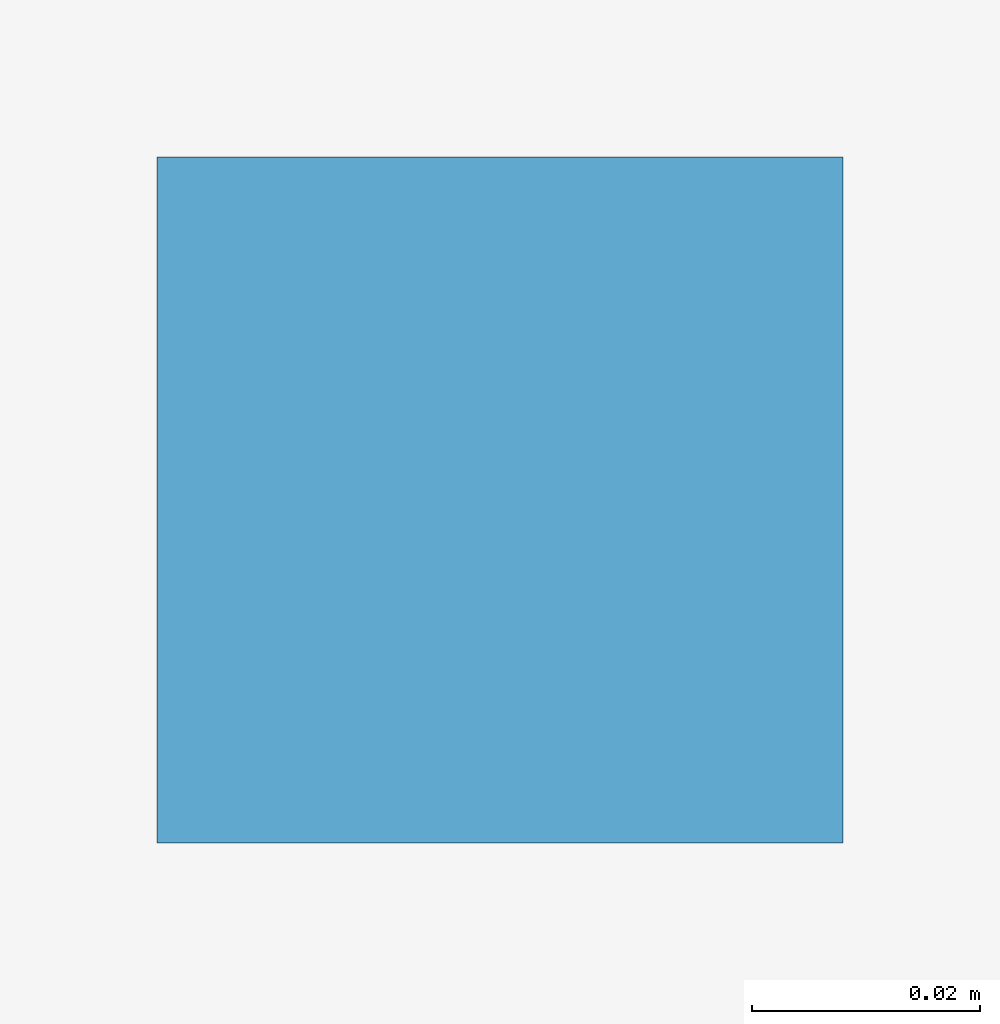
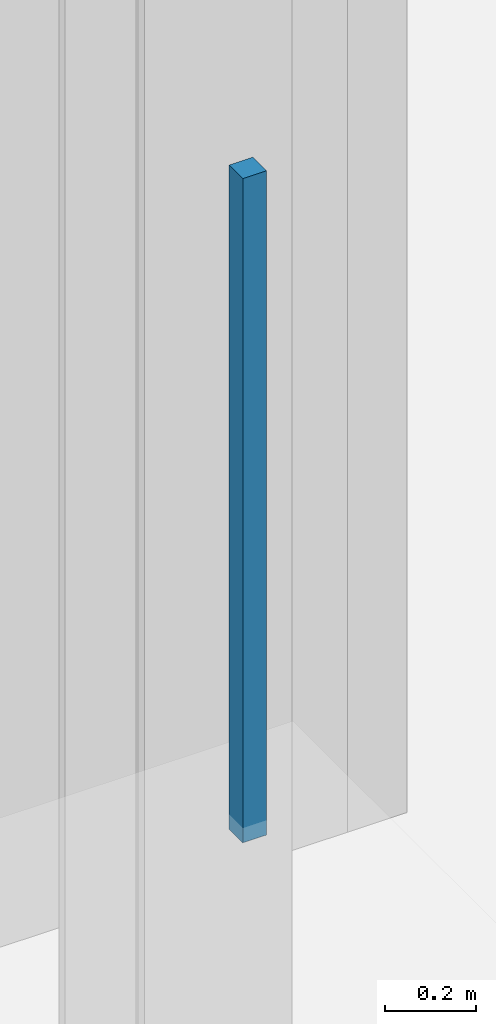
# One storey, part 68 of 111: 1 discrete accessory.
"""IFC4 building model written with IfcOpenShell, lengths in metres."""

from ifc_helpers import new_model, si_unit, direction, frame, origin, place, context, subcontext, project, spatial, polyline, outline, extrude, material, type_object, element, save


model = new_model("IFC4")

# Units and contexts
model_context = context("Model", 3, precision=1e-05, world=origin(), true_north=direction((0.0, 1.0)))
body_context = subcontext(model_context, "Body", "Model", "MODEL_VIEW")
ifc_project = project(units=[si_unit("LENGTHUNIT", "METRE"), si_unit("AREAUNIT", "SQUARE_METRE"), si_unit("VOLUMEUNIT", "CUBIC_METRE"), si_unit("PLANEANGLEUNIT", "RADIAN"), si_unit("MASSUNIT", "GRAM", prefix="KILO")], contexts=[model_context])

# Site, building, storey
site_placement = place(None, origin())
site = spatial("IfcSite", under=ifc_project, at=site_placement, CompositionType="ELEMENT")
building_placement = place(site_placement, origin())
building = spatial("IfcBuilding", under=site, at=building_placement, Name="Dunescarp Central Library", CompositionType="ELEMENT")
storey_placement = place(building_placement, origin())
storey = spatial("IfcBuildingStorey", under=building, at=storey_placement, Name="L00", CompositionType="ELEMENT", Elevation=0.0)

# Discrete accessory
ifc_material = material(Name="Stainless steel Grade 316L", Category="steel")
discrete_accessory_type = type_object("IfcDiscreteAccessoryType", Name="ARC-ACC-BRK", PredefinedType="BRACKET", material=ifc_material)
discrete_accessory_placement = place(storey_placement, frame((0.0, 0.0, 3.06005859375)))
element("IfcDiscreteAccessory", 1, at=discrete_accessory_placement, inside=storey, type_object=discrete_accessory_type, Name="L00 ceiling hanger CLG-L00-003-H2", PredefinedType="BRACKET", context=body_context, shape_type="SweptSolid", body=[
    extrude(outline(polyline([(23.719970703125, 12.02001953125), (23.780029296875, 12.02001953125), (23.780029296875, 12.080078125), (23.719970703125, 12.080078125), (23.719970703125, 12.02001953125)])), origin(), (0.0, 0.0, 1.0), 1.780029296875),
])

save(model, "model.ifc")
